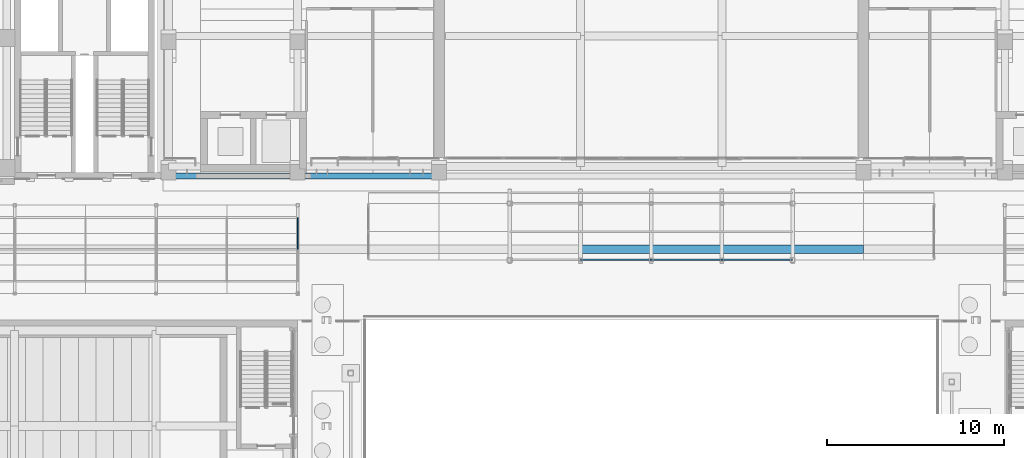
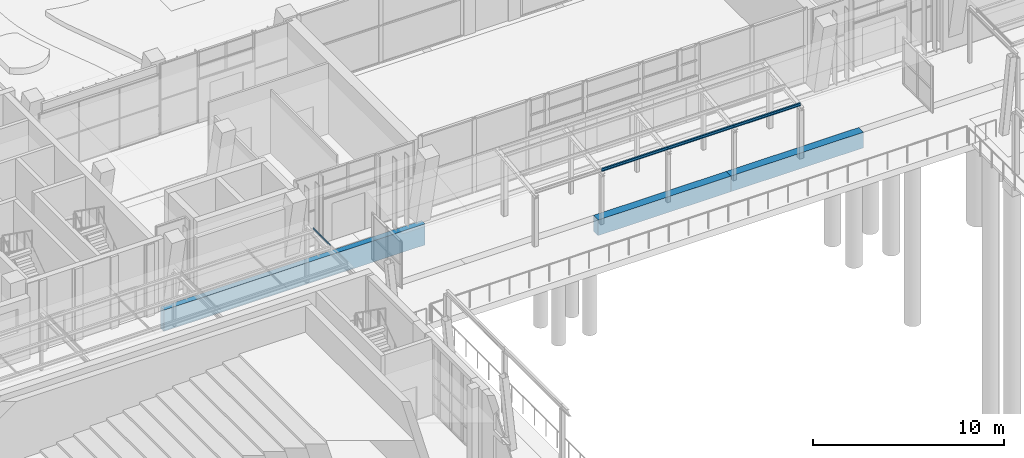
# One storey, part 32 of 144: 4 members, 3 beams.
"""IFC4 building model written with IfcOpenShell, lengths in metres."""

from ifc_helpers import new_model, si_unit, direction, frame, origin, origin_2d, place, context, subcontext, project, spatial, rectangle, i_section, extrude, material, material_profile, profile_set, type_object, element, save


model = new_model("IFC4")

# Units and contexts
model_context = context("Model", 3, precision=1e-05, world=origin(), true_north=direction((0.0, 1.0)))
body_context = subcontext(model_context, "Body", "Model", "MODEL_VIEW")
ifc_project = project(units=[si_unit("LENGTHUNIT", "METRE"), si_unit("AREAUNIT", "SQUARE_METRE"), si_unit("VOLUMEUNIT", "CUBIC_METRE"), si_unit("PLANEANGLEUNIT", "RADIAN"), si_unit("MASSUNIT", "GRAM", prefix="KILO")], contexts=[model_context])

# Site, building, storey
site_placement = place(None, origin())
site = spatial("IfcSite", under=ifc_project, at=site_placement, CompositionType="ELEMENT")
building_placement = place(site_placement, origin())
building = spatial("IfcBuilding", under=site, at=building_placement, Name="Lantern Court Media Centre", CompositionType="ELEMENT")
storey_placement = place(building_placement, origin())
storey = spatial("IfcBuildingStorey", under=building, at=storey_placement, Name="L00", CompositionType="ELEMENT", Elevation=0.0)

# Members
ifc_material_1 = material(Name="Steel S355J2 (EN 10025-2)", Category="steel")
ifc_material_profile_1 = material_profile(ifc_material_1, i_section(OverallWidth=0.0458984375, OverallDepth=0.080078125, WebThickness=0.00390625, FlangeThickness=0.005126953125, FilletRadius=0.0048828125, at=origin_2d()), Name="IPE 80")
ifc_profile_set_1 = profile_set([ifc_material_profile_1], Name="Steel S355J2 (EN 10025-2)")
member_type_1 = type_object("IfcMemberType", Name="Cloister sheeting rail IPE 80", PredefinedType="STRUT", material=ifc_profile_set_1)
member_placement = place(storey_placement, frame((32.0, 44.0, 3.840087890625), z_axis=(0.0, 1.0, 0.0), x_axis=(-1.0, 0.0, 0.0)))
element("IfcMember", 1, at=member_placement, inside=storey, type_object=member_type_1, Name="Cloister sheeting rail 1-9-2", PredefinedType="STRUT", context=body_context, shape_type="SweptSolid", body=[
    extrude(i_section(OverallWidth=0.0458984375, OverallDepth=0.080078125, WebThickness=0.00390625, FlangeThickness=0.005126953125, FilletRadius=0.0048828125, at=origin_2d()), origin(), (0.0, 0.0, 1.0), 1.800048828125),
])
ifc_material_profile_2 = material_profile(ifc_material_1, i_section(OverallWidth=0.091064453125, OverallDepth=0.179931640625, WebThickness=0.00537109375, FlangeThickness=0.008056640625, FilletRadius=0.009033203125, at=origin_2d()), Name="IPE 180")
ifc_profile_set_2 = profile_set([ifc_material_profile_2], Name="Steel S355J2 (EN 10025-2)")
member_type_2 = type_object("IfcMemberType", Name="Entrance canopy purlin IPE 180", PredefinedType="PURLIN", material=ifc_profile_set_2)
for number, where, z_axis, x_axis, name in (
    (2, (48.0, 43.39990234375, 3.413818359375), (1.0, 0.0, 0.0), (0.0, 1.0, 0.0), "Entrance canopy purlin 1-2"),
    (3, (52.0, 43.39990234375, 3.413818359375), (1.0, 0.0, 0.0), (0.0, 1.0, 0.0), "Entrance canopy purlin 1-3"),
    (4, (56.0, 43.39990234375, 3.413818359375), (1.0, 0.0, 0.0), (0.0, 1.0, 0.0), "Entrance canopy purlin 1-4"),
):
    element("IfcMember", number, at=place(storey_placement, frame(where, z_axis=z_axis, x_axis=x_axis)), inside=storey, type_object=member_type_2, Name=name, PredefinedType="PURLIN", context=body_context, shape_type="SweptSolid", body=[
        extrude(i_section(OverallWidth=0.091064453125, OverallDepth=0.179931640625, WebThickness=0.00537109375, FlangeThickness=0.008056640625, FilletRadius=0.009033203125, at=origin_2d()), origin(), (0.0, 0.0, 1.0), 4.0),
    ])

# Beams
ifc_material_2 = material(Name="Concrete C35", Category="concrete")
ifc_material_profile_3 = material_profile(ifc_material_2, rectangle(XDim=0.35009765625, YDim=1.35009765625, at=origin_2d()), Name="RC 350x1350")
ifc_profile_set_3 = profile_set([ifc_material_profile_3], Name="Concrete C35")
beam_type_1 = type_object("IfcBeamType", Name="RC BEAM 350x1350", PredefinedType="BEAM", material=ifc_profile_set_3)
beam_placement = place(storey_placement, frame((24.25, 48.14990234375, -0.675048828125), z_axis=(1.0, 0.0, 0.0), x_axis=(0.0, 1.0, 0.0)))
element("IfcBeam", 5, at=beam_placement, inside=storey, type_object=beam_type_1, Name="EB-S-L00-A-0", PredefinedType="BEAM", context=body_context, shape_type="SweptSolid", body=[
    extrude(rectangle(XDim=0.35009765625, YDim=1.35009765625, at=origin_2d()), origin(), (0.0, 0.0, 1.0), 15.75),
])
ifc_material_profile_4 = material_profile(ifc_material_2, rectangle(XDim=0.5, YDim=1.0, at=origin_2d()), Name="RC 500x1000")
ifc_profile_set_4 = profile_set([ifc_material_profile_4], Name="Concrete C35")
beam_type_2 = type_object("IfcBeamType", Name="RC BEAM 500x1000", PredefinedType="BEAM", material=ifc_profile_set_4)
for number, where, z_axis, x_axis, name in (
    (6, (48.0, 44.0, -0.5), (1.0, 0.0, 0.0), (0.0, 1.0, 0.0), "GB-GAL-6"),
    (7, (56.0, 44.0, -0.5), (1.0, 0.0, 0.0), (0.0, 1.0, 0.0), "GB-GAL-7"),
):
    element("IfcBeam", number, at=place(storey_placement, frame(where, z_axis=z_axis, x_axis=x_axis)), inside=storey, type_object=beam_type_2, Name=name, PredefinedType="BEAM", context=body_context, shape_type="SweptSolid", body=[
        extrude(rectangle(XDim=0.5, YDim=1.0, at=origin_2d()), origin(), (0.0, 0.0, 1.0), 8.0),
    ])

save(model, "model.ifc")
